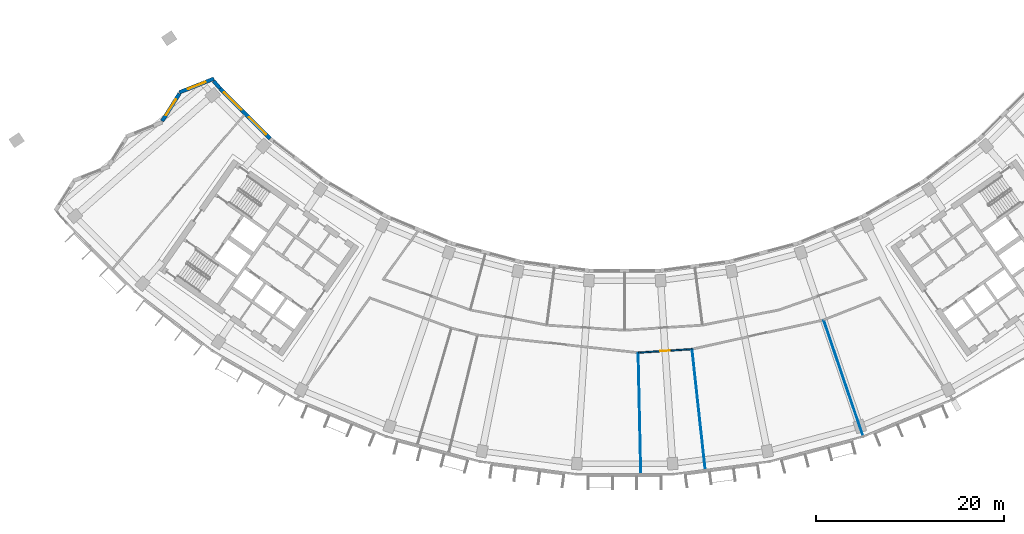
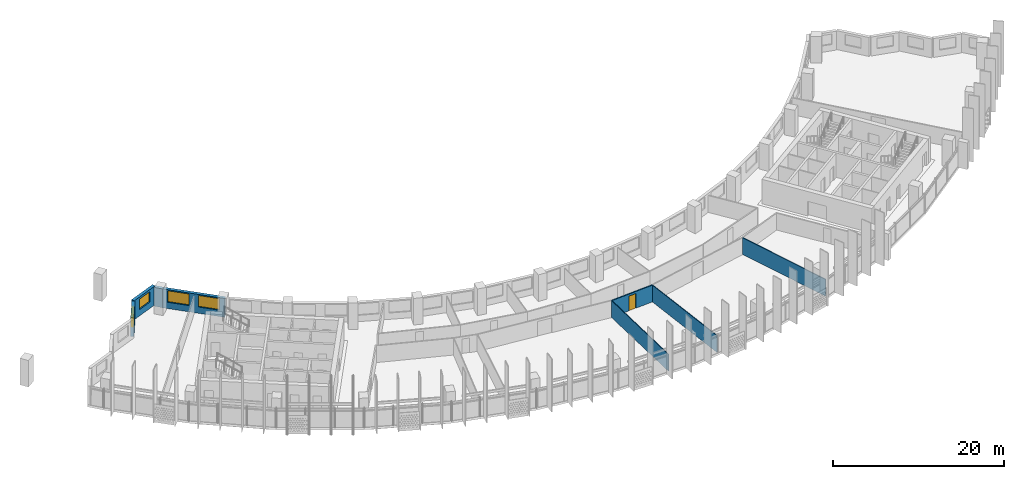
# One storey, part 5 of 26: 8 walls, 4 windows, 1 door, 5 openings.
"""IFC4 building model written with IfcOpenShell, lengths in metres."""

from ifc_helpers import new_model, si_unit, direction, frame, frame_2d, origin, place, context, subcontext, project, spatial, rectangle, extrude, material, layer, layer_set, type_object, element, fill, save


model = new_model("IFC4")

# Units and contexts
model_context = context("Model", 3, precision=1e-05, world=origin(), true_north=direction((0.0, 1.0)))
body_context = subcontext(model_context, "Body", "Model", "MODEL_VIEW")
ifc_project = project(units=[si_unit("LENGTHUNIT", "METRE"), si_unit("AREAUNIT", "SQUARE_METRE"), si_unit("VOLUMEUNIT", "CUBIC_METRE"), si_unit("PLANEANGLEUNIT", "RADIAN"), si_unit("MASSUNIT", "GRAM", prefix="KILO")], contexts=[model_context])

# Site, building, storey
site_placement = place(None, origin())
site = spatial("IfcSite", under=ifc_project, at=site_placement, CompositionType="ELEMENT")
building_placement = place(site_placement, origin())
building = spatial("IfcBuilding", under=site, at=building_placement, Name="Qamariyya Broadcast Tower", CompositionType="ELEMENT")
storey_placement = place(building_placement, frame((0.0, 0.0, 156.89990234375)))
storey = spatial("IfcBuildingStorey", under=building, at=storey_placement, Name="L36", CompositionType="ELEMENT", Elevation=156.89990234375)

# Wall, opening, door
ifc_material_1 = material(Name="Gypsum board partition")
ifc_layer_1 = layer(ifc_material_1, 0.14990234375)
ifc_layer_set_1 = layer_set([ifc_layer_1], Name="Corridor partition 150 EI 60")
wall_type_1 = type_object("IfcWallType", Name="Corridor partition 150 EI 60", PredefinedType="PARTITIONING", material=ifc_layer_set_1)
wall_1_placement = place(storey_placement, frame((7.16162109375, -65.4091796875, 0.0), z_axis=(0.0, 0.0, 1.0), x_axis=(-0.997861137906, -0.065369331165, 0.0)))
wall_1 = element("IfcWall", 1, at=wall_1_placement, inside=storey, type_object=wall_type_1, Name="Partition L36-016", PredefinedType="PARTITIONING", context=body_context, shape_type="SweptSolid", body=[
    extrude(rectangle(XDim=5.736572265625, YDim=0.14990234375, at=frame_2d((2.8681640625, 0.0))), origin(), (0.0, 0.0, 1.0), 2.400146484375),
])
opening_1_placement = place(wall_1_placement, frame((2.368408203125, 0.0, 0.0)))
opening_1 = element("IfcOpeningElement", 2, at=opening_1_placement, cuts=wall_1, Name="Opening L36-D04", PredefinedType="OPENING", context=body_context, shape_type="SweptSolid", body=[
    extrude(rectangle(XDim=1.0, YDim=2.10009765625, at=frame_2d((0.5, 1.050048828125))), frame((0.0, 0.0849609375, 0.0), z_axis=(0.0, -1.0, 0.0), x_axis=(1.0, 0.0, 0.0)), (0.0, 0.0, 1.0), 0.169921875),
])
ifc_material_2 = material(Name="Timber fire door leaf", Category="wood")
door_type = type_object("IfcDoorType", Name="Fire door 1000 x 2100 FD60", OperationType="NOTDEFINED", PredefinedType="DOOR", material=ifc_material_2)
door_placement = place(opening_1_placement, origin())
door = element("IfcDoor", 3, at=door_placement, inside=storey, type_object=door_type, Name="Door L36-D04", OperationType="SINGLE_SWING_RIGHT", OverallHeight=2.10009765625, OverallWidth=1.0, PredefinedType="DOOR", context=body_context, shape_type="SweptSolid", body=[
    extrude(rectangle(XDim=1.0, YDim=2.10009765625, at=frame_2d((0.5, 1.050048828125))), frame((0.0, 0.02490234375, 0.0), z_axis=(0.0, -1.0, 0.0), x_axis=(1.0, 0.0, 0.0)), (0.0, 0.0, 1.0), 0.050048828125),
])
fill(opening_1, door)

# Walls
ifc_layer_2 = layer(ifc_material_1, 0.10009765625)
ifc_layer_set_2 = layer_set([ifc_layer_2], Name="Partition 100")
wall_type_2 = type_object("IfcWallType", Name="Partition 100", PredefinedType="PARTITIONING", material=ifc_layer_set_2)
wall_2_placement = place(storey_placement, frame((1.718017578125, -78.630859375, 0.0), z_axis=(0.0, 0.0, 1.0), x_axis=(-0.021844457465, 0.99976138137, 0.0)))
element("IfcWall", 4, at=wall_2_placement, inside=storey, type_object=wall_type_2, Name="Partition L36-017", PredefinedType="PARTITIONING", context=body_context, shape_type="SweptSolid", body=[
    extrude(rectangle(XDim=12.7744140625, YDim=0.10009765625, at=frame_2d((6.38720703125, 0.0))), origin(), (0.0, 0.0, 1.0), 2.400146484375),
])
wall_3_placement = place(storey_placement, frame((8.56005859375, -78.182373046875, 0.0), z_axis=(0.0, 0.0, 1.0), x_axis=(-0.108839313153, 0.994059356333, 0.0)))
element("IfcWall", 5, at=wall_3_placement, inside=storey, type_object=wall_type_2, Name="Partition L36-021", PredefinedType="PARTITIONING", context=body_context, shape_type="SweptSolid", body=[
    extrude(rectangle(XDim=12.774658203125, YDim=0.10009765625, at=frame_2d((6.38720703125, 0.0))), origin(), (0.0, 0.0, 1.0), 2.400146484375),
])
wall_4_placement = place(storey_placement, frame((25.329345703125, -74.6181640625, 0.0), z_axis=(0.0, 0.0, 1.0), x_axis=(-0.321430642641, 0.946933124339, 0.0)))
element("IfcWall", 6, at=wall_4_placement, inside=storey, type_object=wall_type_2, Name="Partition L36-025", PredefinedType="PARTITIONING", context=body_context, shape_type="SweptSolid", body=[
    extrude(rectangle(XDim=12.925048828125, YDim=0.10009765625, at=frame_2d((6.46240234375, 0.0))), origin(), (0.0, 0.0, 1.0), 2.400146484375),
])

# Wall, opening, window
ifc_material_3 = material(Name="Terracotta", Category="masonry")
ifc_layer_3 = layer(ifc_material_3, 0.39990234375)
ifc_layer_set_3 = layer_set([ifc_layer_3], Name="Terracotta clad wall 400")
wall_type_3 = type_object("IfcWallType", Name="Terracotta clad wall 400", PredefinedType="SOLIDWALL", material=ifc_layer_set_3)
wall_5_placement = place(storey_placement, frame((-43.676513671875, -36.65283203125, 0.0), z_axis=(0.0, 0.0, 1.0), x_axis=(-0.929636343984, -0.368478314075, 0.0)))
wall_5 = element("IfcWall", 7, at=wall_5_placement, inside=storey, type_object=wall_type_3, Name="e-wl-L36-capW0", PredefinedType="SOLIDWALL", context=body_context, shape_type="SweptSolid", body=[
    extrude(rectangle(XDim=3.9482421875, YDim=0.39990234375, at=frame_2d((1.97412109375, 0.0))), origin(), (0.0, 0.0, 1.0), 2.7001953125),
])
opening_2_placement = place(wall_5_placement, frame((0.97412109375, 0.0, 0.89990234375)))
opening_2 = element("IfcOpeningElement", 8, at=opening_2_placement, cuts=wall_5, Name="Opening W4", PredefinedType="OPENING", context=body_context, shape_type="SweptSolid", body=[
    extrude(rectangle(XDim=2.0, YDim=1.5, at=frame_2d((1.0, 0.75))), frame((0.0, 0.2099609375, 0.0), z_axis=(0.0, -1.0, 0.0), x_axis=(1.0, 0.0, 0.0)), (0.0, 0.0, 1.0), 0.419921875),
])
ifc_material_4 = material(Name="Clear low-e double glazed unit in aluminium frame", Category="aluminium")
window_type_1 = type_object("IfcWindowType", Name="Horn bay window 2000 x 1500", PartitioningType="SINGLE_PANEL", PredefinedType="WINDOW", material=ifc_material_4)
window_1_placement = place(opening_2_placement, origin())
window_1 = element("IfcWindow", 9, at=window_1_placement, inside=storey, type_object=window_type_1, Name="e-w-L36-capW0", OverallHeight=1.5, OverallWidth=2.0, PartitioningType="SINGLE_PANEL", PredefinedType="WINDOW", context=body_context, shape_type="SweptSolid", body=[
    extrude(rectangle(XDim=2.0, YDim=1.5, at=frame_2d((1.0, 0.75))), frame((0.0, 0.030029296875, 0.0), z_axis=(0.0, -1.0, 0.0), x_axis=(1.0, 0.0, 0.0)), (0.0, 0.0, 1.0), 0.06005859375),
])
fill(opening_2, window_1)

wall_6_placement = place(storey_placement, frame((-47.349609375, -38.2451171875, 0.0), z_axis=(0.0, 0.0, 1.0), x_axis=(-0.531943323932, -0.846779959685, 0.0)))
wall_6 = element("IfcWall", 10, at=wall_6_placement, inside=storey, type_object=wall_type_3, Name="e-wl-L36-capW1", PredefinedType="SOLIDWALL", context=body_context, shape_type="SweptSolid", body=[
    extrude(rectangle(XDim=3.43994140625, YDim=0.39990234375, at=frame_2d((1.719970703125, 0.0))), origin(), (0.0, 0.0, 1.0), 2.7001953125),
])
opening_3_placement = place(wall_6_placement, frame((0.719970703125, 0.0, 0.89990234375)))
opening_3 = element("IfcOpeningElement", 11, at=opening_3_placement, cuts=wall_6, Name="Opening W4", PredefinedType="OPENING", context=body_context, shape_type="SweptSolid", body=[
    extrude(rectangle(XDim=2.0, YDim=1.5, at=frame_2d((1.0, 0.75))), frame((0.0, 0.2099609375, 0.0), z_axis=(0.0, -1.0, 0.0), x_axis=(1.0, 0.0, 0.0)), (0.0, 0.0, 1.0), 0.419921875),
])
window_2_placement = place(opening_3_placement, origin())
window_2 = element("IfcWindow", 12, at=window_2_placement, inside=storey, type_object=window_type_1, Name="e-w-L36-capW1", OverallHeight=1.5, OverallWidth=2.0, PartitioningType="SINGLE_PANEL", PredefinedType="WINDOW", context=body_context, shape_type="SweptSolid", body=[
    extrude(rectangle(XDim=2.0, YDim=1.5, at=frame_2d((1.0, 0.75))), frame((0.0, 0.030029296875, 0.0), z_axis=(0.0, -1.0, 0.0), x_axis=(1.0, 0.0, 0.0)), (0.0, 0.0, 1.0), 0.06005859375),
])
fill(opening_3, window_2)

# Wall
wall_7_placement = place(storey_placement, frame((-43.021484375, -37.695556640625, 0.0), z_axis=(0.0, 0.0, 1.0), x_axis=(-0.649814300158, 0.760093004382, 0.0)))
element("IfcWall", 13, at=wall_7_placement, inside=storey, type_object=wall_type_3, Name="e-wl-L36-in00", PredefinedType="SOLIDWALL", context=body_context, shape_type="SweptSolid", body=[
    extrude(rectangle(XDim=1.029541015625, YDim=0.39990234375, at=frame_2d((0.5146484375, 0.0))), origin(), (0.0, 0.0, 1.0), 2.7001953125),
])

# Wall, openings, windows
wall_8_placement = place(storey_placement, frame((-37.697265625, -43.023193359375, 0.0), z_axis=(0.0, 0.0, 1.0), x_axis=(-0.707106781187, 0.707106781187, 0.0)))
wall_8 = element("IfcWall", 14, at=wall_8_placement, inside=storey, type_object=wall_type_3, Name="e-wl-L36-in10", PredefinedType="SOLIDWALL", context=body_context, shape_type="SweptSolid", body=[
    extrude(rectangle(XDim=7.516845703125, YDim=0.39990234375, at=frame_2d((3.75830078125, 0.0))), origin(), (0.0, 0.0, 1.0), 2.7001953125),
])
opening_4_placement = place(wall_8_placement, frame((4.330078125, 0.0, 0.89990234375)))
opening_4 = element("IfcOpeningElement", 15, at=opening_4_placement, cuts=wall_8, Name="Opening W1", PredefinedType="OPENING", context=body_context, shape_type="SweptSolid", body=[
    extrude(rectangle(XDim=2.60009765625, YDim=1.64990234375, at=frame_2d((1.300048828125, 0.824951171875))), frame((0.0, 0.2099609375, 0.0), z_axis=(0.0, -1.0, 0.0), x_axis=(1.0, 0.0, 0.0)), (0.0, 0.0, 1.0), 0.419921875),
])
opening_5_placement = place(wall_8_placement, frame((0.60205078125, 0.0, 0.89990234375)))
opening_5 = element("IfcOpeningElement", 16, at=opening_5_placement, cuts=wall_8, Name="Opening W1", PredefinedType="OPENING", context=body_context, shape_type="SweptSolid", body=[
    extrude(rectangle(XDim=2.60009765625, YDim=1.64990234375, at=frame_2d((1.300048828125, 0.824951171875))), frame((0.0, 0.2099609375, 0.0), z_axis=(0.0, -1.0, 0.0), x_axis=(1.0, 0.0, 0.0)), (0.0, 0.0, 1.0), 0.419921875),
])
window_type_2 = type_object("IfcWindowType", Name="Ribbon window 2600 x 1650", PartitioningType="SINGLE_PANEL", PredefinedType="WINDOW", material=ifc_material_4)
window_3_placement = place(opening_4_placement, origin())
window_3 = element("IfcWindow", 17, at=window_3_placement, inside=storey, type_object=window_type_2, Name="e-w-L36-in01-0", OverallHeight=1.64990234375, OverallWidth=2.60009765625, PartitioningType="SINGLE_PANEL", PredefinedType="WINDOW", context=body_context, shape_type="SweptSolid", body=[
    extrude(rectangle(XDim=2.60009765625, YDim=1.64990234375, at=frame_2d((1.300048828125, 0.824951171875))), frame((0.0, 0.030029296875, 0.0), z_axis=(0.0, -1.0, 0.0), x_axis=(1.0, 0.0, 0.0)), (0.0, 0.0, 1.0), 0.06005859375),
])
fill(opening_4, window_3)
window_4_placement = place(opening_5_placement, origin())
window_4 = element("IfcWindow", 18, at=window_4_placement, inside=storey, type_object=window_type_2, Name="e-w-L36-in01-1", OverallHeight=1.64990234375, OverallWidth=2.60009765625, PartitioningType="SINGLE_PANEL", PredefinedType="WINDOW", context=body_context, shape_type="SweptSolid", body=[
    extrude(rectangle(XDim=2.60009765625, YDim=1.64990234375, at=frame_2d((1.300048828125, 0.824951171875))), frame((0.0, 0.030029296875, 0.0), z_axis=(0.0, -1.0, 0.0), x_axis=(1.0, 0.0, 0.0)), (0.0, 0.0, 1.0), 0.06005859375),
])
fill(opening_5, window_4)

save(model, "model.ifc")
